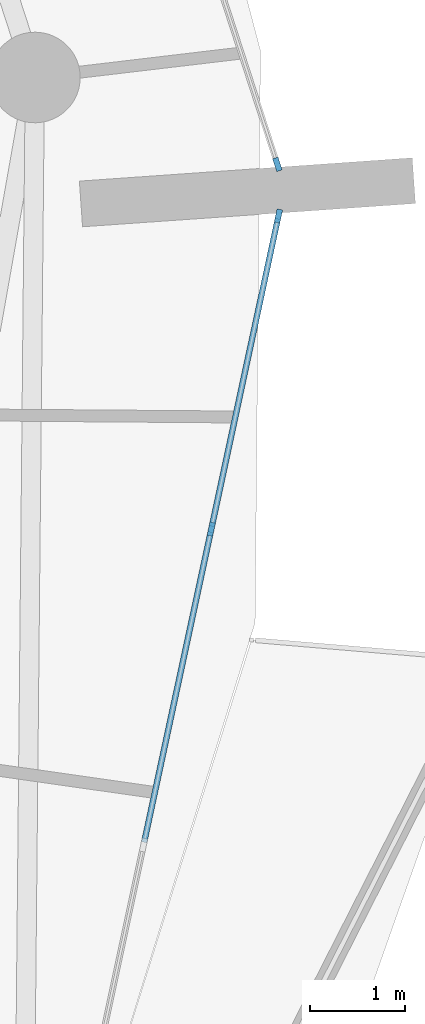
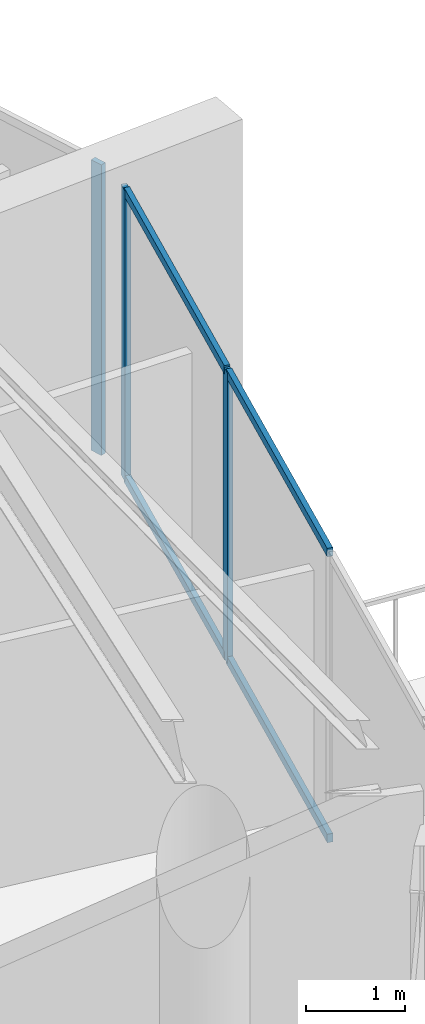
# One storey, part 12 of 31: 7 members, 2 elements without a shape of their own.
"""IFC4 building model written with IfcOpenShell, lengths in metres."""

from ifc_helpers import new_model, si_unit, direction, frame, origin, origin_2d, place, context, subcontext, project, spatial, rectangle, extrude, material, layer, layer_set, material_profile, profile_set, type_object, element, aggregate, save


model = new_model("IFC4")

# Units and contexts
model_context = context("Model", 3, precision=1e-05, world=origin(), true_north=direction((0.0, 1.0)))
body_context = subcontext(model_context, "Body", "Model", "MODEL_VIEW")
ifc_project = project(units=[si_unit("LENGTHUNIT", "METRE"), si_unit("AREAUNIT", "SQUARE_METRE"), si_unit("VOLUMEUNIT", "CUBIC_METRE"), si_unit("PLANEANGLEUNIT", "RADIAN"), si_unit("MASSUNIT", "GRAM", prefix="KILO")], contexts=[model_context])

# Site, building, storey
site_placement = place(None, origin())
site = spatial("IfcSite", under=ifc_project, at=site_placement, CompositionType="ELEMENT")
building_placement = place(site_placement, origin())
building = spatial("IfcBuilding", under=site, at=building_placement, Name="Kazma Halo Residences", CompositionType="ELEMENT")
storey_placement = place(building_placement, frame((0.0, 0.0, 240.550048828125)))
storey = spatial("IfcBuildingStorey", under=building, at=storey_placement, Name="L60", CompositionType="ELEMENT", Elevation=240.550048828125)

# Curtain wall, members
ifc_material_1 = material(Name="Aluminium AW-6063 T6 and Triple-Silver Low-E Glass", Category="aluminium")
ifc_layer = layer(ifc_material_1, 0.139892578125)
ifc_layer_set = layer_set([ifc_layer], Name="Aluminium AW-6063 T6 and Triple-Silver Low-E Glass")
curtain_wall_type = type_object("IfcCurtainWallType", Name="CW-SYS-5", PredefinedType="NOTDEFINED", material=ifc_layer_set)
curtain_wall_1_placement = place(storey_placement, origin())
curtain_wall_1 = element("IfcCurtainWall", 1, at=curtain_wall_1_placement, inside=storey, type_object=curtain_wall_type, Name="L60 unitised curtain wall B15", PredefinedType="NOTDEFINED")
ifc_material_2 = material(Name="Aluminium AW-6063 T6", Category="aluminium")
ifc_material_profile_1 = material_profile(ifc_material_2, rectangle(XDim=0.06005859375, YDim=0.139892578125, at=origin_2d()), Name="CWM-60x140")
ifc_profile_set_1 = profile_set([ifc_material_profile_1], Name="Aluminium AW-6063 T6")
member_type_1 = type_object("IfcMemberType", Name="CW-SYS-5-MUL", PredefinedType="MULLION", material=ifc_profile_set_1)
member_1_placement = place(storey_placement, frame((77.9296875, 40.587158203125, 0.0), z_axis=(0.0, 0.0, 1.0), x_axis=(-0.97777491373, 0.209657382603, 0.0)))
member_1 = element("IfcMember", 2, at=member_1_placement, type_object=member_type_1, Name="CWS-5 mullion 3", PredefinedType="MULLION", context=body_context, shape_type="SweptSolid", body=[
    extrude(rectangle(XDim=0.06005859375, YDim=0.139892578125, at=origin_2d()), origin(), (0.0, 0.0, 1.0), 3.58984375),
])
member_2_placement = place(storey_placement, frame((78.6337890625, 43.87158203125, 0.0), z_axis=(0.0, 0.0, 1.0), x_axis=(-0.97777491373, 0.209657382603, 0.0)))
member_2 = element("IfcMember", 3, at=member_2_placement, type_object=member_type_1, Name="CWS-5 mullion 4", PredefinedType="MULLION", context=body_context, shape_type="SweptSolid", body=[
    extrude(rectangle(XDim=0.06005859375, YDim=0.139892578125, at=origin_2d()), origin(), (0.0, 0.0, 1.0), 3.58984375),
])

# Curtain wall, member
curtain_wall_2_placement = place(storey_placement, origin())
curtain_wall_2 = element("IfcCurtainWall", 4, at=curtain_wall_2_placement, inside=storey, type_object=curtain_wall_type, Name="L60 unitised curtain wall B16", PredefinedType="NOTDEFINED")
member_3_placement = place(storey_placement, frame((78.622802734375, 44.412353515625, 0.0), z_axis=(0.0, 0.0, 1.0), x_axis=(-0.951058464359, -0.309010998786, 0.0)))
member_3 = element("IfcMember", 5, at=member_3_placement, type_object=member_type_1, Name="CWS-5 mullion 1", PredefinedType="MULLION", context=body_context, shape_type="SweptSolid", body=[
    extrude(rectangle(XDim=0.06005859375, YDim=0.139892578125, at=origin_2d()), origin(), (0.0, 0.0, 1.0), 3.58984375),
])
aggregate(curtain_wall_2, [member_3])

# Member
ifc_material_profile_2 = material_profile(ifc_material_2, rectangle(XDim=0.06005859375, YDim=0.10498046875, at=origin_2d()), Name="CWT-60x105")
ifc_profile_set_2 = profile_set([ifc_material_profile_2], Name="Aluminium AW-6063 T6")
member_type_2 = type_object("IfcMemberType", Name="CW-SYS-5-TRN", PredefinedType="USERDEFINED", material=ifc_profile_set_2)
member_4_placement = place(storey_placement, frame((77.225341796875, 37.302734375, 0.030029296875), z_axis=(0.209664309019, 0.977773428522, 0.0), x_axis=(-0.977773428522, 0.209664309019, 0.0)))
member_4 = element("IfcMember", 6, at=member_4_placement, type_object=member_type_2, Name="CWS-5 transom 2.1", ObjectType="TRANSOM", PredefinedType="USERDEFINED", context=body_context, shape_type="SweptSolid", body=[
    extrude(rectangle(XDim=0.06005859375, YDim=0.10498046875, at=origin_2d()), origin(), (0.0, 0.0, 1.0), 3.3291015625),
])

member_5_placement = place(storey_placement, frame((77.225341796875, 37.302734375, 3.56005859375), z_axis=(0.209664309019, 0.977773428522, 0.0), x_axis=(-0.977773428522, 0.209664309019, 0.0)))
member_5 = element("IfcMember", 7, at=member_5_placement, type_object=member_type_2, Name="CWS-5 transom 2.2", ObjectType="TRANSOM", PredefinedType="USERDEFINED", context=body_context, shape_type="SweptSolid", body=[
    extrude(rectangle(XDim=0.06005859375, YDim=0.10498046875, at=origin_2d()), origin(), (0.0, 0.0, 1.0), 3.3291015625),
])

member_6_placement = place(storey_placement, frame((77.935791015625, 40.616455078125, 0.030029296875), z_axis=(0.209645323239, 0.977777499457, 0.0), x_axis=(-0.977777499457, 0.209645323239, 0.0)))
member_6 = element("IfcMember", 8, at=member_6_placement, type_object=member_type_2, Name="CWS-5 transom 3.1", ObjectType="TRANSOM", PredefinedType="USERDEFINED", context=body_context, shape_type="SweptSolid", body=[
    extrude(rectangle(XDim=0.06005859375, YDim=0.10498046875, at=origin_2d()), origin(), (0.0, 0.0, 1.0), 3.299072265625),
])

member_7_placement = place(storey_placement, frame((77.935791015625, 40.616455078125, 3.56005859375), z_axis=(0.209645323239, 0.977777499457, 0.0), x_axis=(-0.977777499457, 0.209645323239, 0.0)))
member_7 = element("IfcMember", 9, at=member_7_placement, type_object=member_type_2, Name="CWS-5 transom 3.2", ObjectType="TRANSOM", PredefinedType="USERDEFINED", context=body_context, shape_type="SweptSolid", body=[
    extrude(rectangle(XDim=0.06005859375, YDim=0.10498046875, at=origin_2d()), origin(), (0.0, 0.0, 1.0), 3.299072265625),
])

aggregate(curtain_wall_1, [member_1, member_2, member_4, member_5, member_6, member_7])

save(model, "model.ifc")
